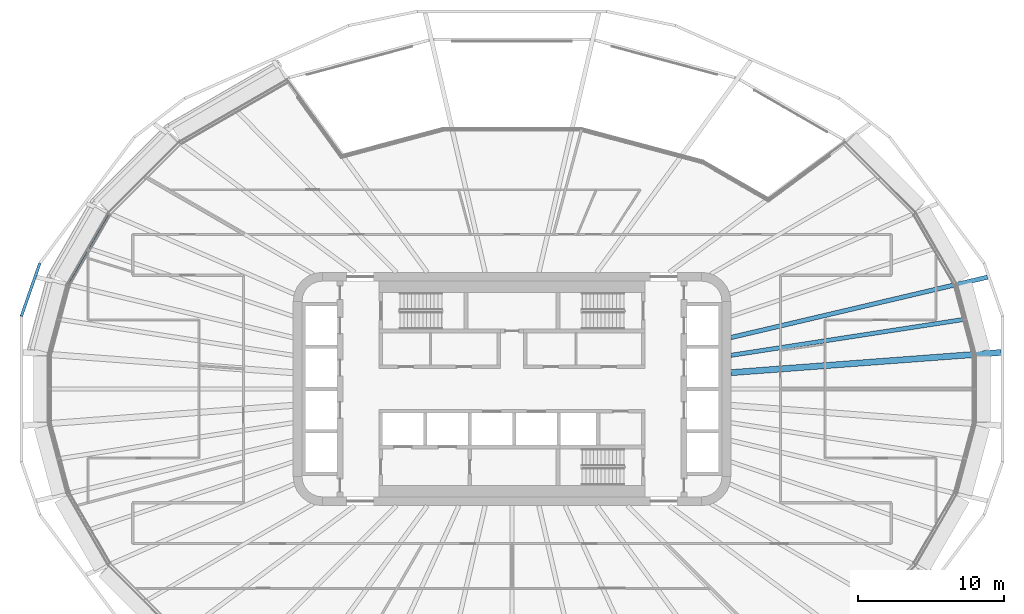
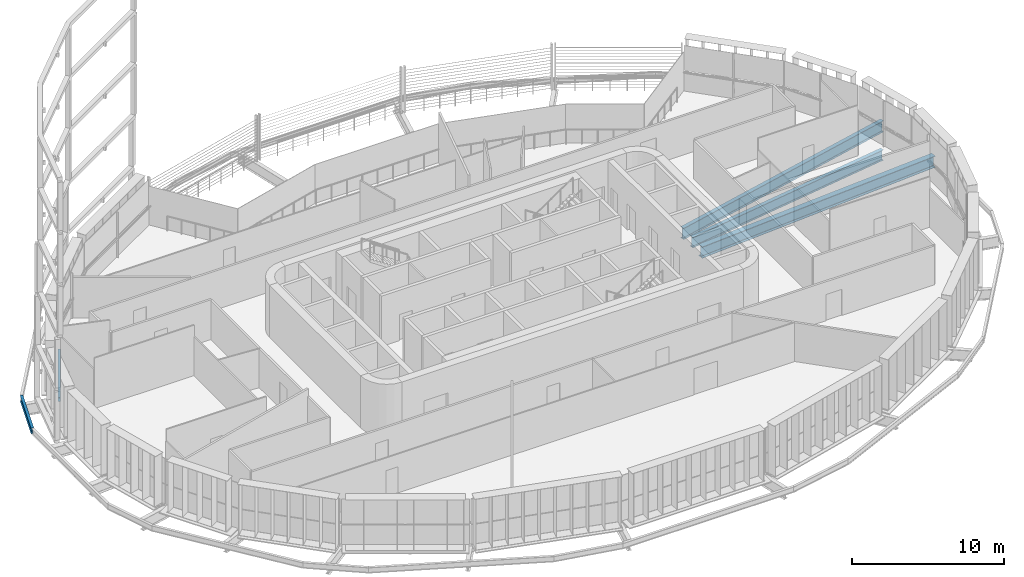
# One storey, part 6 of 25: 5 beams.
"""IFC4 building model written with IfcOpenShell, lengths in metres."""

import ifcopenshell
import ifcopenshell.guid

model = None  # the IFC model being written
_history = None  # IfcOwnerHistory: only IFC2X3 demands one
_inside = {}  # id of a spatial element -> (the spatial element, [elements in it])
_under = {}  # id of a project, library or spatial element -> (it, [spatial elements below it])
_declared = {}  # id of a project -> (the project, [libraries it declares])
_typed = {}  # id of a type object -> (the type object, [elements of that type])
_made_of = {}  # id of a material, layer set ... -> (it, [elements and type objects made of it])


def new_model(schema):
    """Start an empty IFC model of exactly this schema.

    Asked for "IFC4X3", IfcOpenShell would pick the latest addendum, in which some entities
    have other attributes; the version numbers below select the first issue.
    IFC2X3 requires an IfcOwnerHistory on every rooted entity: one is made here for all.
    """
    global model, _history
    if schema == "IFC4X3":
        model = ifcopenshell.file(schema_version=(4, 3, 0, 0))
    else:
        model = ifcopenshell.file(schema=schema)
    _inside.clear()
    _under.clear()
    _declared.clear()
    _typed.clear()
    _made_of.clear()
    _history = None
    if model.schema == "IFC2X3":
        org = make("IfcOrganization", Name="unknown")
        user = make(
            "IfcPersonAndOrganization",
            ThePerson=make("IfcPerson", FamilyName="unknown"),
            TheOrganization=org,
        )
        app = make(
            "IfcApplication",
            ApplicationDeveloper=org,
            Version="unknown",
            ApplicationFullName="unknown",
            ApplicationIdentifier="unknown",
        )
        _history = make(
            "IfcOwnerHistory",
            OwningUser=user,
            OwningApplication=app,
            ChangeAction="ADDED",
            CreationDate=0,
        )
    return model


def make(cls, **values):
    """One entity of the class cls with the attributes given. An attribute that is None is left unset."""
    return model.create_entity(
        cls, **{name: value for name, value in values.items() if value is not None}
    )


def rooted(cls, **values):
    """An entity with a GlobalId (a new one), such as an element, a storey or a relation."""
    return make(cls, GlobalId=ifcopenshell.guid.new(), OwnerHistory=_history, **values)


def si_unit(unit_type, name, prefix=None):
    """IfcSIUnit, for example si_unit("LENGTHUNIT", "METRE", prefix="MILLI")."""
    return make("IfcSIUnit", UnitType=unit_type, Prefix=prefix, Name=name)


def assignment(units):
    """IfcUnitAssignment: the units of a project."""
    return None if units is None else make("IfcUnitAssignment", Units=units)


def point(xyz):
    """IfcCartesianPoint."""
    return None if xyz is None else make("IfcCartesianPoint", Coordinates=xyz)


def direction(xyz):
    """IfcDirection."""
    return None if xyz is None else make("IfcDirection", DirectionRatios=xyz)


def frame(location, z_axis=None, x_axis=None):
    """IfcAxis2Placement3D, a coordinate frame: its origin and axes. An axis left out is left unset."""
    return make(
        "IfcAxis2Placement3D",
        Location=point(location),
        Axis=direction(z_axis),
        RefDirection=direction(x_axis),
    )


def frame_2d(location, x_axis=None):
    """IfcAxis2Placement2D, a coordinate frame in the plane: its origin and x axis."""
    return make(
        "IfcAxis2Placement2D", Location=point(location), RefDirection=direction(x_axis)
    )


def origin():
    """The frame at (0, 0, 0) with its axes left unset."""
    return frame((0.0, 0.0, 0.0))


def origin_2d():
    """The frame at (0, 0) in the plane with its x axis left unset."""
    return frame_2d((0.0, 0.0))


def place(relative_to, where):
    """IfcLocalPlacement: puts the frame where relative to a parent placement (None: the world)."""
    return make(
        "IfcLocalPlacement", PlacementRelTo=relative_to, RelativePlacement=where
    )


def context(
    kind, dimensions, precision=None, world=None, true_north=None, identifier=None
):
    """IfcGeometricRepresentationContext, for example the 3D "Model" context."""
    return make(
        "IfcGeometricRepresentationContext",
        ContextIdentifier=identifier,
        ContextType=kind,
        CoordinateSpaceDimension=dimensions,
        Precision=precision,
        WorldCoordinateSystem=world,
        TrueNorth=true_north,
    )


def subcontext(parent, identifier, kind, view, scale=None):
    """IfcGeometricRepresentationSubContext, for example "Body" below "Model"."""
    return make(
        "IfcGeometricRepresentationSubContext",
        ContextIdentifier=identifier,
        ContextType=kind,
        ParentContext=parent,
        TargetScale=scale,
        TargetView=view,
    )


def project(units=None, contexts=None):
    """IfcProject with its units and contexts."""
    return rooted(
        "IfcProject",
        Name="project",
        RepresentationContexts=contexts,
        UnitsInContext=assignment(units),
    )


def spatial(cls, under=None, at=None, **own):
    """A site, building, storey or space (cls), placed at a placement, below another one or the project."""
    s = rooted(cls, ObjectPlacement=at, **own)
    if under is not None:
        _under.setdefault(under.id(), (under, []))[1].append(s)
    return s


def profile(cls, at=None, kind="AREA", **sizes):
    """A parametric profile (cls). Its sizes go by their IFC names, for example OverallWidth=200.0."""
    return make(cls, ProfileType=kind, Position=at, **sizes)


def i_section(**sizes):
    """IfcIShapeProfileDef."""
    return profile("IfcIShapeProfileDef", **sizes)


def extrude(swept, where, along, depth):
    """IfcExtrudedAreaSolid: the profile swept, set in the frame where, extruded along a direction by depth."""
    return make(
        "IfcExtrudedAreaSolid",
        SweptArea=swept,
        Position=where,
        ExtrudedDirection=direction(along),
        Depth=depth,
    )


def shape(context_of_items, identifier, shape_type, items):
    """IfcShapeRepresentation: the items that make up one representation, for example the "Body"."""
    return make(
        "IfcShapeRepresentation",
        ContextOfItems=context_of_items,
        RepresentationIdentifier=identifier,
        RepresentationType=shape_type,
        Items=items,
    )


def material(Name=None, Category=None):
    """IfcMaterial."""
    return make("IfcMaterial", Name=Name, Category=Category)


def material_profile(
    of_material, cross_section, Name=None, Category=None, Priority=None
):
    """IfcMaterialProfile: a cross section and its material."""
    return make(
        "IfcMaterialProfile",
        Name=Name,
        Material=of_material,
        Profile=cross_section,
        Priority=Priority,
        Category=Category,
    )


def profile_set(profiles, Name=None, composite=None):
    """IfcMaterialProfileSet."""
    return make(
        "IfcMaterialProfileSet",
        Name=Name,
        MaterialProfiles=profiles,
        CompositeProfile=composite,
    )


def made_of(thing, what):
    """Note that an element or type object is made of a material, layer set ...; save() writes the relation."""
    if what is not None:
        _made_of.setdefault(what.id(), (what, []))[1].append(thing)
    return thing


def type_object(cls, material=None, **own):
    """A type object (cls), such as IfcWallType, which elements share."""
    return made_of(rooted(cls, **own), material)


def element(
    cls,
    number,
    at=None,
    inside=None,
    cuts=None,
    type_object=None,
    material=None,
    context=None,
    identifier="Body",
    shape_type=None,
    held_by="IfcProductDefinitionShape",
    body=None,
    shapes=None,
    **own,
):
    """One element of the class cls, such as IfcWall. Its Tag is "e" and its number.

    at: its placement. inside: the storey or other place that contains it. cuts: it is an
    opening in that element (IfcRelVoidsElement). A single representation is given by context,
    identifier, shape_type and body (its items); several are given by shapes. held_by: the class
    of the entity that holds the representations. save() writes the other relations.
    """
    e = rooted(cls, Tag="e%d" % number, ObjectPlacement=at, **own)
    if body is not None:
        shapes = [shape(context, identifier, shape_type, body)]
    if shapes is not None:
        e.Representation = make(held_by, Representations=shapes)
    if inside is not None:
        _inside.setdefault(inside.id(), (inside, []))[1].append(e)
    if cuts is not None:
        rooted(
            "IfcRelVoidsElement", RelatingBuildingElement=cuts, RelatedOpeningElement=e
        )
    if type_object is not None:
        _typed.setdefault(type_object.id(), (type_object, []))[1].append(e)
    return made_of(e, material)


def aggregate(whole, parts):
    """IfcRelAggregates: a whole, such as a stair, and the parts it consists of."""
    return rooted("IfcRelAggregates", RelatingObject=whole, RelatedObjects=parts)


def save(model, path):
    """Write the relations noted so far, then the file.

    IfcRelAggregates (storeys below a building ...), IfcRelContainedInSpatialStructure (elements
    in a storey), IfcRelDefinesByType, IfcRelAssociatesMaterial and IfcRelDeclares: one each for
    every whole, place, type object, material and project.
    """
    for whole, parts in _under.values():
        aggregate(whole, parts)
    for where, things in _inside.values():
        rooted(
            "IfcRelContainedInSpatialStructure",
            RelatedElements=things,
            RelatingStructure=where,
        )
    for kind, things in _typed.values():
        rooted("IfcRelDefinesByType", RelatedObjects=things, RelatingType=kind)
    for what, things in _made_of.values():
        rooted("IfcRelAssociatesMaterial", RelatedObjects=things, RelatingMaterial=what)
    for by, libraries in _declared.values():
        rooted("IfcRelDeclares", RelatingContext=by, RelatedDefinitions=libraries)
    model.write(path)


model = new_model("IFC4")

# Units and contexts
model_context = context("Model", 3, precision=1e-05, world=origin(), true_north=direction((0.0, 1.0)))
body_context = subcontext(model_context, "Body", "Model", "MODEL_VIEW")
ifc_project = project(units=[si_unit("LENGTHUNIT", "METRE"), si_unit("AREAUNIT", "SQUARE_METRE"), si_unit("VOLUMEUNIT", "CUBIC_METRE"), si_unit("PLANEANGLEUNIT", "RADIAN"), si_unit("MASSUNIT", "GRAM", prefix="KILO")], contexts=[model_context])

# Site, building, storey
site_placement = place(None, origin())
site = spatial("IfcSite", under=ifc_project, at=site_placement, CompositionType="ELEMENT")
building_placement = place(site_placement, origin())
building = spatial("IfcBuilding", under=site, at=building_placement, Name="Sahrelin Media Tower", CompositionType="ELEMENT")
storey_placement = place(building_placement, frame((0.0, 0.0, 127.199951171875)))
storey = spatial("IfcBuildingStorey", under=building, at=storey_placement, Name="L25", CompositionType="ELEMENT", Elevation=127.199951171875)

# Beams
ifc_material = material(Name="Steel S355", Category="steel")
ifc_material_profile_1 = material_profile(ifc_material, i_section(OverallWidth=0.1650390625, OverallDepth=0.303466796875, WebThickness=0.006103515625, FlangeThickness=0.01025390625, FilletRadius=0.0087890625, at=origin_2d()), Name="UB 305x165x40")
ifc_profile_set_1 = profile_set([ifc_material_profile_1], Name="Steel S355")
beam_type_1 = type_object("IfcBeamType", Name="Edge beam EB2", PredefinedType="BEAM", material=ifc_profile_set_1)
beam_1_placement = place(storey_placement, frame((-30.364990234375, 7.13037109375, -0.3017578125), z_axis=(0.500012514453, 0.866018178441, 0.0), x_axis=(-0.866018178441, 0.500012514453, 0.0)))
element("IfcBeam", 1, at=beam_1_placement, inside=storey, type_object=beam_type_1, Name="Edge beam L25-15", PredefinedType="BEAM", context=body_context, shape_type="SweptSolid", body=[
    extrude(i_section(OverallWidth=0.1650390625, OverallDepth=0.303466796875, WebThickness=0.006103515625, FlangeThickness=0.01025390625, FilletRadius=0.0087890625, at=origin_2d()), origin(), (0.0, 0.0, 1.0), 5.585693359375),
])
ifc_material_profile_2 = material_profile(ifc_material, i_section(OverallWidth=0.30322265625, OverallDepth=0.903076171875, WebThickness=0.01513671875, FlangeThickness=0.020263671875, FilletRadius=0.01904296875, at=origin_2d()), Name="UB 914x305x201")
ifc_profile_set_2 = profile_set([ifc_material_profile_2], Name="Steel S355")
beam_type_2 = type_object("IfcBeamType", Name="Radial primary beam PB11", PredefinedType="BEAM", material=ifc_profile_set_2)
beam_2_placement = place(storey_placement, frame((15.0, 3.527587890625, -0.6015625), z_axis=(0.973441952546, 0.228933975247, 0.0), x_axis=(-0.228933975247, 0.973441952546, 0.0)))
element("IfcBeam", 2, at=beam_2_placement, inside=storey, type_object=beam_type_2, Name="Radial beam L25-02", PredefinedType="BEAM", context=body_context, shape_type="SweptSolid", body=[
    extrude(i_section(OverallWidth=0.30322265625, OverallDepth=0.903076171875, WebThickness=0.01513671875, FlangeThickness=0.020263671875, FilletRadius=0.01904296875, at=origin_2d()), origin(), (0.0, 0.0, 1.0), 18.082275390625),
])
ifc_material_profile_3 = material_profile(ifc_material, i_section(OverallWidth=0.41845703125, OverallDepth=0.911865234375, WebThickness=0.019287109375, FlangeThickness=0.031982421875, FilletRadius=0.024169921875, at=origin_2d()), Name="UB 914x419x343")
ifc_profile_set_3 = profile_set([ifc_material_profile_3], Name="Steel S355")
beam_type_3 = type_object("IfcBeamType", Name="Radial primary beam PB12", PredefinedType="BEAM", material=ifc_profile_set_3)
beam_3_placement = place(storey_placement, frame((15.0, 1.12060546875, -0.60595703125), z_axis=(0.997219962224, 0.07451407211, 0.0), x_axis=(-0.07451407211, 0.997219962224, 0.0)))
element("IfcBeam", 3, at=beam_3_placement, inside=storey, type_object=beam_type_3, Name="Radial beam L25-01", PredefinedType="BEAM", context=body_context, shape_type="SweptSolid", body=[
    extrude(i_section(OverallWidth=0.41845703125, OverallDepth=0.911865234375, WebThickness=0.019287109375, FlangeThickness=0.031982421875, FilletRadius=0.024169921875, at=origin_2d()), origin(), (0.0, 0.0, 1.0), 18.590576171875),
])
ifc_material_profile_4 = material_profile(ifc_material, i_section(OverallWidth=0.291748046875, OverallDepth=0.8349609375, WebThickness=0.013916015625, FlangeThickness=0.018798828125, FilletRadius=0.017822265625, at=origin_2d()), Name="UB 838x292x176")
ifc_profile_set_4 = profile_set([ifc_material_profile_4], Name="Steel S355")
beam_type_4 = type_object("IfcBeamType", Name="Radial secondary beam SB10", PredefinedType="BEAM", material=ifc_profile_set_4)
beam_4_placement = place(storey_placement, frame((15.0, 2.309814453125, -0.5673828125), z_axis=(0.988353300858, 0.152176715314, 0.0), x_axis=(-0.152176715314, 0.988353300858, 0.0)))
element("IfcBeam", 4, at=beam_4_placement, inside=storey, type_object=beam_type_4, Name="Secondary beam L25-01", PredefinedType="BEAM", context=body_context, shape_type="SweptSolid", body=[
    extrude(i_section(OverallWidth=0.291748046875, OverallDepth=0.8349609375, WebThickness=0.013916015625, FlangeThickness=0.018798828125, FilletRadius=0.017822265625, at=origin_2d()), origin(), (0.0, 0.0, 1.0), 16.115478515625),
])
ifc_material_profile_5 = material_profile(ifc_material, i_section(OverallWidth=0.1904296875, OverallDepth=0.45703125, WebThickness=0.009033203125, FlangeThickness=0.014404296875, FilletRadius=0.01025390625, at=origin_2d()), Name="UB 457x191x74")
ifc_profile_set_5 = profile_set([ifc_material_profile_5], Name="Steel S355")
beam_type_5 = type_object("IfcBeamType", Name="Tie chord TC5", PredefinedType="BEAM", material=ifc_profile_set_5)
beam_5_placement = place(storey_placement, frame((-32.37109375, 8.62060546875, -0.37841796875), z_axis=(-0.328725187138, -0.944425619803, 0.0), x_axis=(0.944425619803, -0.328725187138, 0.0)))
element("IfcBeam", 5, at=beam_5_placement, inside=storey, type_object=beam_type_5, Name="Tie chord L25-11", PredefinedType="BEAM", context=body_context, shape_type="SweptSolid", body=[
    extrude(i_section(OverallWidth=0.1904296875, OverallDepth=0.45703125, WebThickness=0.009033203125, FlangeThickness=0.014404296875, FilletRadius=0.01025390625, at=origin_2d()), origin(), (0.0, 0.0, 1.0), 3.842041015625),
])

save(model, "model.ifc")
